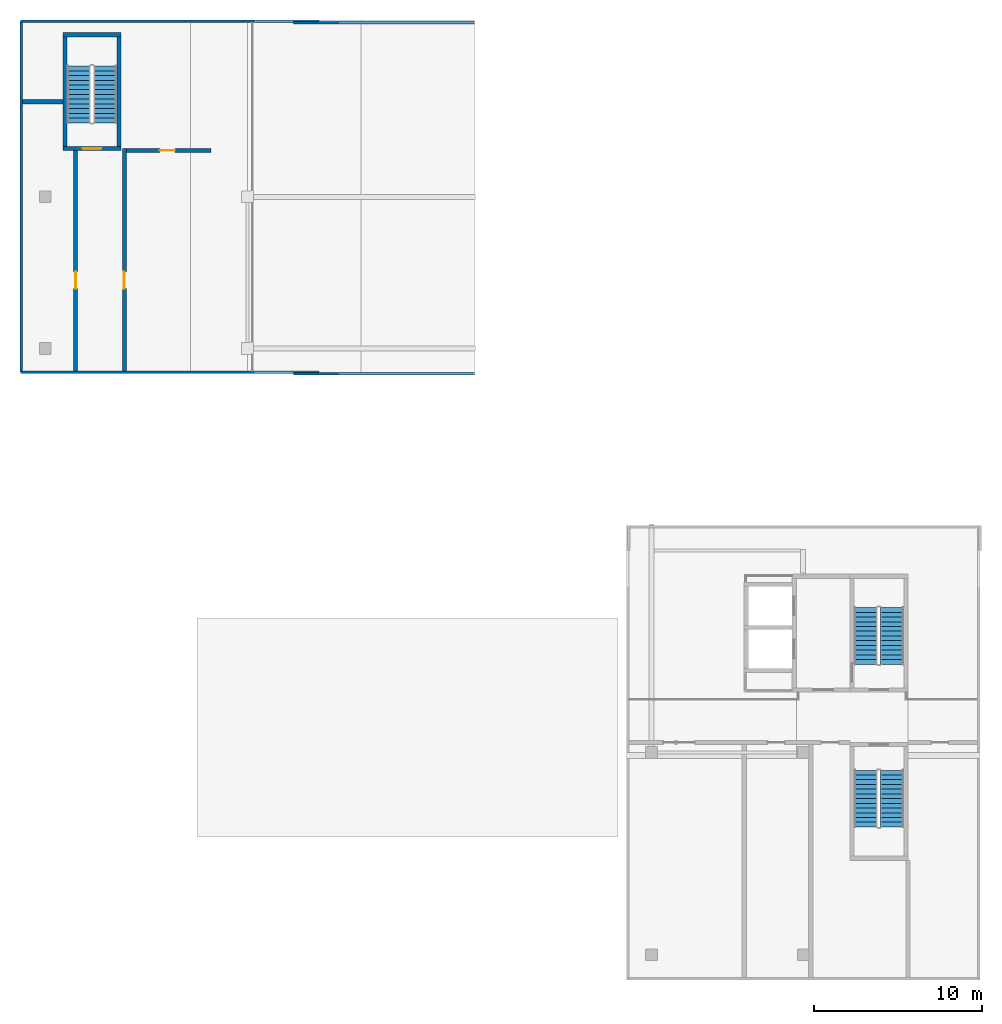
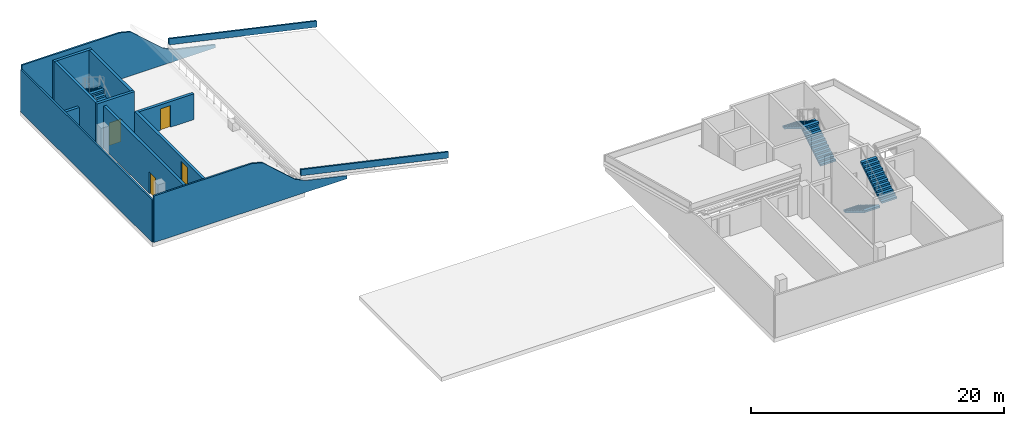
# One storey, part 3 of 4: 13 walls, 6 stair flights, 4 doors, 4 openings, 3 elements without a shape of their own.
"""IFC4 building model written with IfcOpenShell, lengths in metres."""

from ifc_helpers import new_model, si_unit, direction, frame, frame_2d, origin, place, context, subcontext, project, spatial, polyline, rectangle, outline, extrude, material, layer, layer_set, type_object, element, fill, aggregate, save


model = new_model("IFC4")

# Units and contexts
model_context = context("Model", 3, precision=1e-05, world=origin(), true_north=direction((0.0, 1.0)))
body_context = subcontext(model_context, "Body", "Model", "MODEL_VIEW")
ifc_project = project(units=[si_unit("LENGTHUNIT", "METRE"), si_unit("AREAUNIT", "SQUARE_METRE"), si_unit("VOLUMEUNIT", "CUBIC_METRE"), si_unit("PLANEANGLEUNIT", "RADIAN"), si_unit("MASSUNIT", "GRAM", prefix="KILO")], contexts=[model_context])

# Site, building, storey
site_placement = place(None, origin())
site = spatial("IfcSite", under=ifc_project, at=site_placement, CompositionType="ELEMENT")
building_placement = place(site_placement, origin())
building = spatial("IfcBuilding", under=site, at=building_placement, Name="Chenar Terraces", CompositionType="ELEMENT")
storey_placement = place(building_placement, frame((0.0, 0.0, 388.89990234375)))
storey = spatial("IfcBuildingStorey", under=building, at=storey_placement, Name="L91", CompositionType="ELEMENT", Elevation=388.89990234375)

# Wall, opening, door
ifc_material_1 = material(Name="Concrete C40/50", Category="concrete")
ifc_layer_1 = layer(ifc_material_1, 0.25)
ifc_layer_set_1 = layer_set([ifc_layer_1], Name="Concrete C40/50")
wall_type_1 = type_object("IfcWallType", Name="Core wall 250 Concrete C40/50", PredefinedType="SHEAR", material=ifc_layer_set_1)
wall_1_placement = place(storey_placement, frame((1.050048828125, 47.875, 0.0), z_axis=(0.0, 0.0, 1.0), x_axis=(1.0, 0.0, 0.0)))
wall_1 = element("IfcWall", 1, at=wall_1_placement, inside=storey, type_object=wall_type_1, Name="Core wall ST6_S L91", PredefinedType="SHEAR", context=body_context, shape_type="SweptSolid", body=[
    extrude(rectangle(XDim=3.449951171875, YDim=0.25, at=frame_2d((1.72509765625, 0.0))), origin(), (0.0, 0.0, 1.0), 4.5),
])
opening_1_placement = place(wall_1_placement, frame((1.175048828125, 0.0, 0.0)))
opening_1 = element("IfcOpeningElement", 2, at=opening_1_placement, cuts=wall_1, Name="Opening DL91-C3", PredefinedType="OPENING", context=body_context, shape_type="SweptSolid", body=[
    extrude(rectangle(XDim=1.10009765625, YDim=2.199951171875, at=frame_2d((0.550048828125, 1.10009765625))), frame((0.0, 0.135009765625, 0.0), z_axis=(0.0, -1.0, 0.0), x_axis=(1.0, 0.0, 0.0)), (0.0, 0.0, 1.0), 0.27001953125),
])
ifc_material_2 = material(Name="Steel-framed fire-resisting door leaf", Category="steel")
door_type_1 = type_object("IfcDoorType", Name="Stair fire door FD60 1100 x 2200", OperationType="SINGLE_SWING_LEFT", PredefinedType="DOOR", material=ifc_material_2)
door_1_placement = place(opening_1_placement, origin())
door_1 = element("IfcDoor", 3, at=door_1_placement, inside=storey, type_object=door_type_1, Name="Stair door DL91-C3", OperationType="SINGLE_SWING_RIGHT", OverallHeight=2.199951171875, OverallWidth=1.10009765625, PredefinedType="DOOR", context=body_context, shape_type="SweptSolid", body=[
    extrude(rectangle(XDim=1.10009765625, YDim=2.199951171875, at=frame_2d((0.550048828125, 1.10009765625))), frame((0.0, 0.02490234375, 0.0), z_axis=(0.0, -1.0, 0.0), x_axis=(1.0, 0.0, 0.0)), (0.0, 0.0, 1.0), 0.050048828125),
])
fill(opening_1, door_1)

# Walls
wall_2_placement = place(storey_placement, frame((1.050048828125, 54.625, 0.0), z_axis=(0.0, 0.0, 1.0), x_axis=(1.0, 0.0, 0.0)))
element("IfcWall", 4, at=wall_2_placement, inside=storey, type_object=wall_type_1, Name="Core wall ST6_N L91", PredefinedType="SHEAR", context=body_context, shape_type="SweptSolid", body=[
    extrude(rectangle(XDim=3.449951171875, YDim=0.25, at=frame_2d((1.72509765625, 0.0))), origin(), (0.0, 0.0, 1.0), 4.5),
])
for number, where, z_axis, x_axis, name in (
    (5, (1.175048828125, 48.0, 0.0), (0.0, 0.0, 1.0), (0.0, 1.0, 0.0), "Core wall ST6_W L91"),
    (6, (4.375, 48.0, 0.0), (0.0, 0.0, 1.0), (0.0, 1.0, 0.0), "Core wall ST6_E L91"),
):
    element("IfcWall", number, at=place(storey_placement, frame(where, z_axis=z_axis, x_axis=x_axis)), inside=storey, type_object=wall_type_1, Name=name, PredefinedType="SHEAR", context=body_context, shape_type="SweptSolid", body=[
        extrude(rectangle(XDim=6.5, YDim=0.25, at=frame_2d((3.25, 0.0))), origin(), (0.0, 0.0, 1.0), 4.5),
    ])
ifc_material_3 = material(Name="Terracotta cladding on insulated backing", Category="masonry")
ifc_layer_2 = layer(ifc_material_3, 0.14990234375)
ifc_layer_set_2 = layer_set([ifc_layer_2], Name="Terracotta cladding on insulated backing")
wall_type_2 = type_object("IfcWallType", Name="Crown parapet 150", PredefinedType="PARAPET", material=ifc_layer_set_2)
for number, where, z_axis, x_axis, name in (
    (7, (25.5, 34.574951171875, -1.192626953125), (0.0, 1.0, 0.0), (-0.976127211362, 0.0, 0.217199602297), "Crown parapet"),
    (8, (25.5, 55.425048828125, -1.192626953125), (0.0, 1.0, 0.0), (-0.976127211362, 0.0, 0.217199602297), "Crown parapet"),
):
    element("IfcWall", number, at=place(storey_placement, frame(where, z_axis=z_axis, x_axis=x_axis)), inside=storey, type_object=wall_type_2, Name=name, PredefinedType="PARAPET", context=body_context, shape_type="SweptSolid", body=[
        extrude(outline(polyline([(0.0, 0.0), (13.830164596229109, -4.440892098500626e-16), (13.960505568505841, 0.5857716517404192), (0.13034097227673114, 0.5857716517404198), (0.0, 0.0)])), origin(), (0.0, 0.0, -1.0), 0.14990234375),
    ])
ifc_material_4 = material(Name="Terracotta cladding on insulated backing", Category="masonry")
ifc_layer_3 = layer(ifc_material_4, 0.14990234375)
ifc_layer_set_3 = layer_set([ifc_layer_3], Name="Terracotta cladding on insulated backing")
wall_type_3 = type_object("IfcWallType", Name="Crown terracotta wall 150", PredefinedType="SOLIDWALL", material=ifc_layer_set_3)
wall_3_placement = place(storey_placement, frame((16.259521484375, 55.425048828125, 0.0), z_axis=(0.0, 0.0, 1.0), x_axis=(-1.0, 0.0, 0.0)))
element("IfcWall", 9, at=wall_3_placement, inside=storey, type_object=wall_type_3, Name="Crown terracotta wall", PredefinedType="SOLIDWALL", context=body_context, shape_type="SweptSolid", body=[
    extrude(outline(polyline([(0.0, 0.0), (17.659423828125, 0.0), (17.659423828125, 4.5), (8.72607421875, 4.5), (7.7333984375, 4.248046875), (6.740966796875, 3.369140625), (5.748291015625, 2.489013671875), (4.755615234375, 1.610107421875), (3.76318359375, 1.13720703125), (2.7705078125, 0.916015625), (1.77783203125, 0.696044921875), (0.785400390625, 0.47509765625), (0.0, 0.300048828125), (0.0, 0.0)])), frame((0.0, 0.074951171875, 0.0), z_axis=(0.0, -1.0, 0.0), x_axis=(1.0, 0.0, 0.0)), (0.0, 0.0, 1.0), 0.14990234375),
])
wall_4_placement = place(storey_placement, frame((-1.425048828125, 55.39990234375, 0.0), z_axis=(0.0, 0.0, 1.0), x_axis=(0.0, -1.0, 0.0)))
element("IfcWall", 10, at=wall_4_placement, inside=storey, type_object=wall_type_3, Name="Crown terracotta wall", PredefinedType="SOLIDWALL", context=body_context, shape_type="SweptSolid", body=[
    extrude(rectangle(XDim=20.7998046875, YDim=0.14990234375, at=frame_2d((10.39990234375, 0.0))), origin(), (0.0, 0.0, 1.0), 4.10009765625),
])
wall_5_placement = place(storey_placement, frame((-1.39990234375, 34.574951171875, 0.0), z_axis=(0.0, 0.0, 1.0), x_axis=(1.0, 0.0, 0.0)))
element("IfcWall", 11, at=wall_5_placement, inside=storey, type_object=wall_type_3, Name="Crown terracotta wall", PredefinedType="SOLIDWALL", context=body_context, shape_type="SweptSolid", body=[
    extrude(outline(polyline([(0.0, 0.0), (17.659423828125, 0.0), (17.659423828125, 0.300048828125), (13.896240234375, 1.13720703125), (12.90380859375, 1.610107421875), (9.92578125, 4.248046875), (8.933349609375, 4.5), (0.0, 4.5), (0.0, 0.0)])), frame((0.0, 0.074951171875, 0.0), z_axis=(0.0, -1.0, 0.0), x_axis=(1.0, 0.0, 0.0)), (0.0, 0.0, 1.0), 0.14990234375),
])
ifc_material_5 = material(Name="Fire-board and steel stud wall with mineral wool", Category="steel")
ifc_layer_4 = layer(ifc_material_5, 0.25)
ifc_layer_set_4 = layer_set([ifc_layer_4], Name="Fire-board and steel stud wall with mineral wool")
wall_type_4 = type_object("IfcWallType", Name="Plant room wall 250", PredefinedType="PARTITIONING", material=ifc_layer_set_4)
wall_6_placement = place(storey_placement, frame((-1.35009765625, 50.64990234375, 0.0), z_axis=(0.0, 0.0, 1.0), x_axis=(1.0, 0.0, 0.0)))
element("IfcWall", 12, at=wall_6_placement, inside=storey, type_object=wall_type_4, Name="Partition L91-001", PredefinedType="PARTITIONING", context=body_context, shape_type="SweptSolid", body=[
    extrude(rectangle(XDim=2.400146484375, YDim=0.25, at=frame_2d((1.2001953125, 0.0))), origin(), (0.0, 0.0, 1.0), 2.489990234375),
])

# Wall, opening, door
wall_7_placement = place(storey_placement, frame((1.800048828125, 34.64990234375, 0.0), z_axis=(0.0, 0.0, 1.0), x_axis=(0.0, 1.0, 0.0)))
wall_7 = element("IfcWall", 13, at=wall_7_placement, inside=storey, type_object=wall_type_4, Name="Partition L91-002", PredefinedType="PARTITIONING", context=body_context, shape_type="SweptSolid", body=[
    extrude(rectangle(XDim=13.10009765625, YDim=0.25, at=frame_2d((6.550048828125, 0.0))), origin(), (0.0, 0.0, 1.0), 4.10009765625),
])
opening_2_placement = place(wall_7_placement, frame((4.89990234375, 0.0, 0.0)))
opening_2 = element("IfcOpeningElement", 14, at=opening_2_placement, cuts=wall_7, Name="Opening DL91-7", PredefinedType="OPENING", context=body_context, shape_type="SweptSolid", body=[
    extrude(rectangle(XDim=1.0, YDim=2.10009765625, at=frame_2d((0.5, 1.050048828125))), frame((0.0, 0.135009765625, 0.0), z_axis=(0.0, -1.0, 0.0), x_axis=(1.0, 0.0, 0.0)), (0.0, 0.0, 1.0), 0.27001953125),
])
ifc_material_6 = material(Name="Steel-framed fire-resisting door leaf", Category="steel")
door_type_2 = type_object("IfcDoorType", Name="Fire door FD120 1000 x 2100", OperationType="SINGLE_SWING_LEFT", PredefinedType="DOOR", material=ifc_material_6)
door_2_placement = place(opening_2_placement, origin())
door_2 = element("IfcDoor", 15, at=door_2_placement, inside=storey, type_object=door_type_2, Name="Door DL91-7", OperationType="SINGLE_SWING_LEFT", OverallHeight=2.10009765625, OverallWidth=1.0, PredefinedType="DOOR", context=body_context, shape_type="SweptSolid", body=[
    extrude(rectangle(XDim=1.0, YDim=2.10009765625, at=frame_2d((0.5, 1.050048828125))), frame((0.0, 0.02490234375, 0.0), z_axis=(0.0, -1.0, 0.0), x_axis=(1.0, 0.0, 0.0)), (0.0, 0.0, 1.0), 0.050048828125),
])
fill(opening_2, door_2)

wall_8_placement = place(storey_placement, frame((4.699951171875, 34.64990234375, 0.0), z_axis=(0.0, 0.0, 1.0), x_axis=(0.0, 1.0, 0.0)))
wall_8 = element("IfcWall", 16, at=wall_8_placement, inside=storey, type_object=wall_type_4, Name="Partition L91-003", PredefinedType="PARTITIONING", context=body_context, shape_type="SweptSolid", body=[
    extrude(rectangle(XDim=13.22509765625, YDim=0.25, at=frame_2d((6.612548828125, 0.0))), origin(), (0.0, 0.0, 1.0), 2.489990234375),
])
opening_3_placement = place(wall_8_placement, frame((4.89990234375, 0.0, 0.0)))
opening_3 = element("IfcOpeningElement", 17, at=opening_3_placement, cuts=wall_8, Name="Opening DL91-6", PredefinedType="OPENING", context=body_context, shape_type="SweptSolid", body=[
    extrude(rectangle(XDim=1.0, YDim=2.10009765625, at=frame_2d((0.5, 1.050048828125))), frame((0.0, 0.135009765625, 0.0), z_axis=(0.0, -1.0, 0.0), x_axis=(1.0, 0.0, 0.0)), (0.0, 0.0, 1.0), 0.27001953125),
])
door_3_placement = place(opening_3_placement, frame((1.0, 0.0, 0.0), z_axis=(0.0, 0.0, 1.0), x_axis=(-1.0, 0.0, 0.0)))
door_3 = element("IfcDoor", 18, at=door_3_placement, inside=storey, type_object=door_type_2, Name="Door DL91-6", OperationType="SINGLE_SWING_RIGHT", OverallHeight=2.10009765625, OverallWidth=1.0, PredefinedType="DOOR", context=body_context, shape_type="SweptSolid", body=[
    extrude(rectangle(XDim=1.0, YDim=2.10009765625, at=frame_2d((0.5, 1.050048828125))), frame((0.0, 0.02490234375, 0.0), z_axis=(0.0, -1.0, 0.0), x_axis=(1.0, 0.0, 0.0)), (0.0, 0.0, 1.0), 0.050048828125),
])
fill(opening_3, door_3)

wall_9_placement = place(storey_placement, frame((4.824951171875, 47.75, 0.0), z_axis=(0.0, 0.0, 1.0), x_axis=(1.0, 0.0, 0.0)))
wall_9 = element("IfcWall", 19, at=wall_9_placement, inside=storey, type_object=wall_type_4, Name="Partition L91-004", PredefinedType="PARTITIONING", context=body_context, shape_type="SweptSolid", body=[
    extrude(rectangle(XDim=5.025146484375, YDim=0.25, at=frame_2d((2.5126953125, 0.0))), origin(), (0.0, 0.0, 1.0), 2.489990234375),
])
opening_4_placement = place(wall_9_placement, frame((1.97509765625, 0.0, 0.0)))
opening_4 = element("IfcOpeningElement", 20, at=opening_4_placement, cuts=wall_9, Name="Opening DL91-8", PredefinedType="OPENING", context=body_context, shape_type="SweptSolid", body=[
    extrude(rectangle(XDim=0.89990234375, YDim=2.10009765625, at=frame_2d((0.449951171875, 1.050048828125))), frame((0.0, 0.135009765625, 0.0), z_axis=(0.0, -1.0, 0.0), x_axis=(1.0, 0.0, 0.0)), (0.0, 0.0, 1.0), 0.27001953125),
])
ifc_material_7 = material(Name="Steel-framed fire-resisting door leaf", Category="steel")
door_type_3 = type_object("IfcDoorType", Name="Fire door FD120 900 x 2100", OperationType="SINGLE_SWING_LEFT", PredefinedType="DOOR", material=ifc_material_7)
door_4_placement = place(opening_4_placement, origin())
door_4 = element("IfcDoor", 21, at=door_4_placement, inside=storey, type_object=door_type_3, Name="Door DL91-8", OperationType="SINGLE_SWING_RIGHT", OverallHeight=2.10009765625, OverallWidth=0.89990234375, PredefinedType="DOOR", context=body_context, shape_type="SweptSolid", body=[
    extrude(rectangle(XDim=0.89990234375, YDim=2.10009765625, at=frame_2d((0.449951171875, 1.050048828125))), frame((0.0, 0.02490234375, 0.0), z_axis=(0.0, -1.0, 0.0), x_axis=(1.0, 0.0, 0.0)), (0.0, 0.0, 1.0), 0.050048828125),
])
fill(opening_4, door_4)

# Stair, stair flights
ifc_material_8 = material(Name="Reinforced concrete C40/50", Category="concrete")
stair_type = type_object("IfcStairType", Name="Core stair 1400 half-turn", PredefinedType="HALF_TURN_STAIR", material=ifc_material_8)
placement = place(storey_placement, origin())
stair_1 = element("IfcStair", 22, at=placement, inside=storey, type_object=stair_type, Name="L91 Stair 3", PredefinedType="HALF_TURN_STAIR")
ifc_material_9 = material(Name="Reinforced concrete C40/50", Category="concrete")
stair_flight_type = type_object("IfcStairFlightType", Name="Core stair flight 1400", PredefinedType="STRAIGHT", material=ifc_material_9)
stair_flight_1_placement = place(storey_placement, frame((50.27490234375, 17.25, 0.0), z_axis=(0.0, 0.0, 1.0), x_axis=(0.0, 1.0, 0.0)))
stair_flight_1 = element("IfcStairFlight", 23, at=stair_flight_1_placement, type_object=stair_flight_type, Name="ST3 flight 1", NumberOfRisers=13, NumberOfTreads=12, PredefinedType="STRAIGHT", RiserHeight=0.173076923, TreadLength=0.28, context=body_context, shape_type="SweptSolid", body=[
    extrude(outline(polyline([(-0.0029296875, 0.0), (-0.0029296875, 0.173095703125), (0.0, 0.173095703125), (0.280029296875, 0.173095703125), (0.280029296875, 0.34619140625), (0.56005859375, 0.34619140625), (0.56005859375, 0.519287109375), (0.840087890625, 0.519287109375), (0.840087890625, 0.6923828125), (1.1201171875, 0.6923828125), (1.1201171875, 0.865478515625), (1.39990234375, 0.865478515625), (1.39990234375, 1.03857421875), (1.679931640625, 1.03857421875), (1.679931640625, 1.21142578125), (1.9599609375, 1.21142578125), (1.9599609375, 1.384521484375), (2.239990234375, 1.384521484375), (2.239990234375, 1.5576171875), (2.52001953125, 1.5576171875), (2.52001953125, 1.730712890625), (2.800048828125, 1.730712890625), (2.800048828125, 1.90380859375), (3.080078125, 1.90380859375), (3.080078125, 2.076904296875), (3.360107421875, 2.076904296875), (3.363037109375, 2.076904296875), (3.363037109375, 1.900634765625), (3.360107421875, 1.900634765625), (0.28515625, 0.0), (-0.0029296875, 0.0)])), frame((0.0, 0.699951171875, 0.0), z_axis=(0.0, -1.0, 0.0), x_axis=(1.0, 0.0, 0.0)), (0.0, 0.0, 1.0), 1.39990234375),
])
stair_flight_2_placement = place(storey_placement, frame((48.72509765625, 20.610107421875, 2.25), z_axis=(0.0, 0.0, 1.0), x_axis=(0.0, -1.0, 0.0)))
stair_flight_2 = element("IfcStairFlight", 24, at=stair_flight_2_placement, type_object=stair_flight_type, Name="ST3 flight 2", NumberOfRisers=13, NumberOfTreads=12, PredefinedType="STRAIGHT", RiserHeight=0.173076923, TreadLength=0.28, context=body_context, shape_type="SweptSolid", body=[
    extrude(outline(polyline([(-0.0029296875, 0.0), (-0.0029296875, 0.173095703125), (0.0, 0.173095703125), (0.280029296875, 0.173095703125), (0.280029296875, 0.34619140625), (0.56005859375, 0.34619140625), (0.56005859375, 0.519287109375), (0.840087890625, 0.519287109375), (0.840087890625, 0.6923828125), (1.1201171875, 0.6923828125), (1.1201171875, 0.865478515625), (1.39990234375, 0.865478515625), (1.39990234375, 1.03857421875), (1.679931640625, 1.03857421875), (1.679931640625, 1.21142578125), (1.9599609375, 1.21142578125), (1.9599609375, 1.384521484375), (2.239990234375, 1.384521484375), (2.239990234375, 1.5576171875), (2.52001953125, 1.5576171875), (2.52001953125, 1.730712890625), (2.800048828125, 1.730712890625), (2.800048828125, 1.90380859375), (3.080078125, 1.90380859375), (3.080078125, 2.076904296875), (3.360107421875, 2.076904296875), (3.363037109375, 2.076904296875), (3.363037109375, 1.900634765625), (3.360107421875, 1.900634765625), (0.28515625, 0.0), (-0.0029296875, 0.0)])), frame((0.0, 0.699951171875, 0.0), z_axis=(0.0, -1.0, 0.0), x_axis=(1.0, 0.0, 0.0)), (0.0, 0.0, 1.0), 1.39990234375),
])
aggregate(stair_1, [stair_flight_1, stair_flight_2])

stair_2 = element("IfcStair", 25, at=placement, inside=storey, type_object=stair_type, Name="L91 Stair 5", PredefinedType="HALF_TURN_STAIR")
stair_flight_3_placement = place(storey_placement, frame((48.72509765625, 10.949951171875, 0.0), z_axis=(0.0, 0.0, 1.0), x_axis=(0.0, -1.0, 0.0)))
stair_flight_3 = element("IfcStairFlight", 26, at=stair_flight_3_placement, type_object=stair_flight_type, Name="ST5 flight 1", NumberOfRisers=13, NumberOfTreads=12, PredefinedType="STRAIGHT", RiserHeight=0.173076923, TreadLength=0.28, context=body_context, shape_type="SweptSolid", body=[
    extrude(outline(polyline([(-0.0029296875, 0.0), (-0.0029296875, 0.173095703125), (0.0, 0.173095703125), (0.280029296875, 0.173095703125), (0.280029296875, 0.34619140625), (0.56005859375, 0.34619140625), (0.56005859375, 0.519287109375), (0.840087890625, 0.519287109375), (0.840087890625, 0.6923828125), (1.1201171875, 0.6923828125), (1.1201171875, 0.865478515625), (1.39990234375, 0.865478515625), (1.39990234375, 1.03857421875), (1.679931640625, 1.03857421875), (1.679931640625, 1.21142578125), (1.9599609375, 1.21142578125), (1.9599609375, 1.384521484375), (2.239990234375, 1.384521484375), (2.239990234375, 1.5576171875), (2.52001953125, 1.5576171875), (2.52001953125, 1.730712890625), (2.800048828125, 1.730712890625), (2.800048828125, 1.90380859375), (3.080078125, 1.90380859375), (3.080078125, 2.076904296875), (3.360107421875, 2.076904296875), (3.363037109375, 2.076904296875), (3.363037109375, 1.900634765625), (3.360107421875, 1.900634765625), (0.28515625, 0.0), (-0.0029296875, 0.0)])), frame((0.0, 0.699951171875, 0.0), z_axis=(0.0, -1.0, 0.0), x_axis=(1.0, 0.0, 0.0)), (0.0, 0.0, 1.0), 1.39990234375),
])
stair_flight_4_placement = place(storey_placement, frame((50.27490234375, 7.590087890625, 2.25), z_axis=(0.0, 0.0, 1.0), x_axis=(0.0, 1.0, 0.0)))
stair_flight_4 = element("IfcStairFlight", 27, at=stair_flight_4_placement, type_object=stair_flight_type, Name="ST5 flight 2", NumberOfRisers=13, NumberOfTreads=12, PredefinedType="STRAIGHT", RiserHeight=0.173076923, TreadLength=0.28, context=body_context, shape_type="SweptSolid", body=[
    extrude(outline(polyline([(-0.0029296875, 0.0), (-0.0029296875, 0.173095703125), (0.0, 0.173095703125), (0.280029296875, 0.173095703125), (0.280029296875, 0.34619140625), (0.56005859375, 0.34619140625), (0.56005859375, 0.519287109375), (0.840087890625, 0.519287109375), (0.840087890625, 0.6923828125), (1.1201171875, 0.6923828125), (1.1201171875, 0.865478515625), (1.39990234375, 0.865478515625), (1.39990234375, 1.03857421875), (1.679931640625, 1.03857421875), (1.679931640625, 1.21142578125), (1.9599609375, 1.21142578125), (1.9599609375, 1.384521484375), (2.239990234375, 1.384521484375), (2.239990234375, 1.5576171875), (2.52001953125, 1.5576171875), (2.52001953125, 1.730712890625), (2.800048828125, 1.730712890625), (2.800048828125, 1.90380859375), (3.080078125, 1.90380859375), (3.080078125, 2.076904296875), (3.360107421875, 2.076904296875), (3.363037109375, 2.076904296875), (3.363037109375, 1.900634765625), (3.360107421875, 1.900634765625), (0.28515625, 0.0), (-0.0029296875, 0.0)])), frame((0.0, 0.699951171875, 0.0), z_axis=(0.0, -1.0, 0.0), x_axis=(1.0, 0.0, 0.0)), (0.0, 0.0, 1.0), 1.39990234375),
])
aggregate(stair_2, [stair_flight_3, stair_flight_4])

stair_3 = element("IfcStair", 28, at=placement, inside=storey, type_object=stair_type, Name="L91 Stair 6", PredefinedType="HALF_TURN_STAIR")
stair_flight_5_placement = place(storey_placement, frame((3.550048828125, 49.39990234375, 0.0), z_axis=(0.0, 0.0, 1.0), x_axis=(0.0, 1.0, 0.0)))
stair_flight_5 = element("IfcStairFlight", 29, at=stair_flight_5_placement, type_object=stair_flight_type, Name="ST6 flight 1", NumberOfRisers=13, NumberOfTreads=12, PredefinedType="STRAIGHT", RiserHeight=0.173076923, TreadLength=0.28, context=body_context, shape_type="SweptSolid", body=[
    extrude(outline(polyline([(-0.0029296875, 0.0), (-0.0029296875, 0.173095703125), (0.0, 0.173095703125), (0.280029296875, 0.173095703125), (0.280029296875, 0.34619140625), (0.56005859375, 0.34619140625), (0.56005859375, 0.519287109375), (0.840087890625, 0.519287109375), (0.840087890625, 0.6923828125), (1.1201171875, 0.6923828125), (1.1201171875, 0.865478515625), (1.39990234375, 0.865478515625), (1.39990234375, 1.03857421875), (1.679931640625, 1.03857421875), (1.679931640625, 1.21142578125), (1.9599609375, 1.21142578125), (1.9599609375, 1.384521484375), (2.239990234375, 1.384521484375), (2.239990234375, 1.5576171875), (2.52001953125, 1.5576171875), (2.52001953125, 1.730712890625), (2.800048828125, 1.730712890625), (2.800048828125, 1.90380859375), (3.080078125, 1.90380859375), (3.080078125, 2.076904296875), (3.360107421875, 2.076904296875), (3.363037109375, 2.076904296875), (3.363037109375, 1.900634765625), (3.360107421875, 1.900634765625), (0.28515625, 0.0), (-0.0029296875, 0.0)])), frame((0.0, 0.699951171875, 0.0), z_axis=(0.0, -1.0, 0.0), x_axis=(1.0, 0.0, 0.0)), (0.0, 0.0, 1.0), 1.39990234375),
])
stair_flight_6_placement = place(storey_placement, frame((2.0, 52.760009765625, 2.25), z_axis=(0.0, 0.0, 1.0), x_axis=(0.0, -1.0, 0.0)))
stair_flight_6 = element("IfcStairFlight", 30, at=stair_flight_6_placement, type_object=stair_flight_type, Name="ST6 flight 2", NumberOfRisers=13, NumberOfTreads=12, PredefinedType="STRAIGHT", RiserHeight=0.173076923, TreadLength=0.28, context=body_context, shape_type="SweptSolid", body=[
    extrude(outline(polyline([(-0.0029296875, 0.0), (-0.0029296875, 0.173095703125), (0.0, 0.173095703125), (0.280029296875, 0.173095703125), (0.280029296875, 0.34619140625), (0.56005859375, 0.34619140625), (0.56005859375, 0.519287109375), (0.840087890625, 0.519287109375), (0.840087890625, 0.6923828125), (1.1201171875, 0.6923828125), (1.1201171875, 0.865478515625), (1.39990234375, 0.865478515625), (1.39990234375, 1.03857421875), (1.679931640625, 1.03857421875), (1.679931640625, 1.21142578125), (1.9599609375, 1.21142578125), (1.9599609375, 1.384521484375), (2.239990234375, 1.384521484375), (2.239990234375, 1.5576171875), (2.52001953125, 1.5576171875), (2.52001953125, 1.730712890625), (2.800048828125, 1.730712890625), (2.800048828125, 1.90380859375), (3.080078125, 1.90380859375), (3.080078125, 2.076904296875), (3.360107421875, 2.076904296875), (3.363037109375, 2.076904296875), (3.363037109375, 1.900634765625), (3.360107421875, 1.900634765625), (0.28515625, 0.0), (-0.0029296875, 0.0)])), frame((0.0, 0.699951171875, 0.0), z_axis=(0.0, -1.0, 0.0), x_axis=(1.0, 0.0, 0.0)), (0.0, 0.0, 1.0), 1.39990234375),
])
aggregate(stair_3, [stair_flight_5, stair_flight_6])

save(model, "model.ifc")
